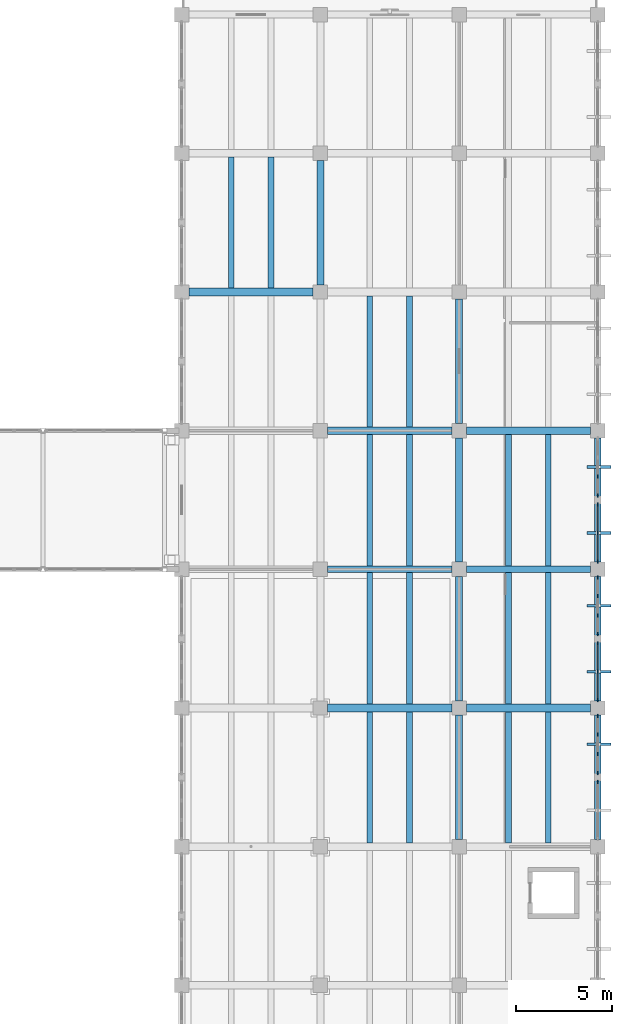
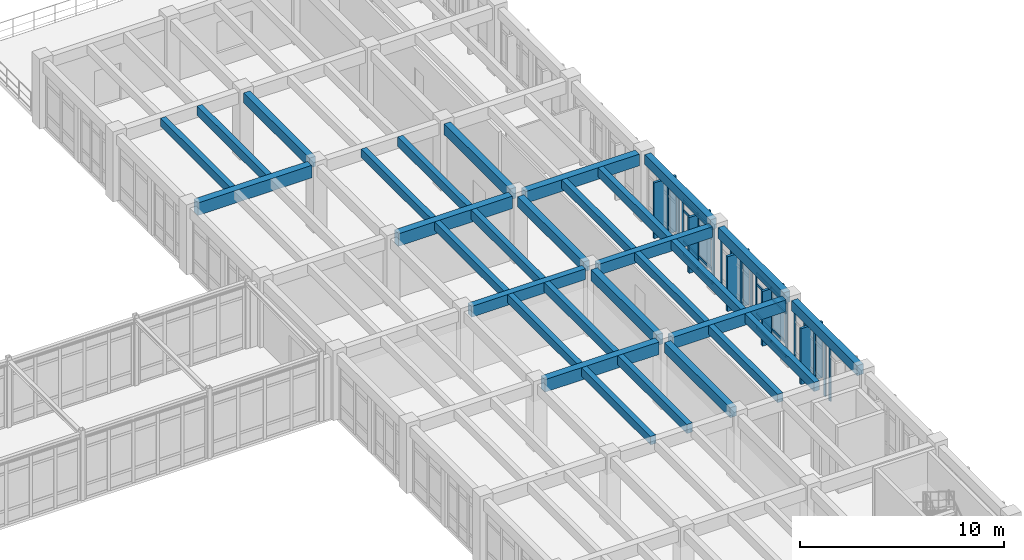
# One storey, part 62 of 136: 38 members, 31 beams, 6 elements without a shape of their own.
"""IFC4 building model written with IfcOpenShell, lengths in metres."""

from ifc_helpers import new_model, si_unit, direction, frame, origin, origin_2d, place, context, subcontext, project, spatial, rectangle, extrude, material, layer, layer_set, material_profile, profile_set, type_object, element, aggregate, save


model = new_model("IFC4")

# Units and contexts
model_context = context("Model", 3, precision=1e-05, world=origin(), true_north=direction((0.0, 1.0)))
body_context = subcontext(model_context, "Body", "Model", "MODEL_VIEW")
ifc_project = project(units=[si_unit("LENGTHUNIT", "METRE"), si_unit("AREAUNIT", "SQUARE_METRE"), si_unit("VOLUMEUNIT", "CUBIC_METRE"), si_unit("PLANEANGLEUNIT", "RADIAN"), si_unit("MASSUNIT", "GRAM", prefix="KILO")], contexts=[model_context])

# Site, building, storey
site_placement = place(None, origin())
site = spatial("IfcSite", under=ifc_project, at=site_placement, CompositionType="ELEMENT")
building_placement = place(site_placement, origin())
building = spatial("IfcBuilding", under=site, at=building_placement, Name="Koriwan Promenade Central Fire Station", CompositionType="ELEMENT")
storey_placement = place(building_placement, frame((0.0, 0.0, 5.39990234375)))
storey = spatial("IfcBuildingStorey", under=building, at=storey_placement, Name="L01", CompositionType="ELEMENT", Elevation=5.39990234375)

# Beams
ifc_material_1 = material(Name="Concrete C35/45", Category="concrete")
ifc_material_profile_1 = material_profile(ifc_material_1, rectangle(XDim=0.300048828125, YDim=0.5, at=origin_2d()), Name="RC-BM-300x500")
ifc_profile_set_1 = profile_set([ifc_material_profile_1], Name="Concrete C35/45")
beam_type_1 = type_object("IfcBeamType", Name="Beam_RC-BM-300x500", PredefinedType="JOIST", material=ifc_profile_set_1)
for number, where, z_axis, x_axis, name in (
    (1, (160.968017578125, 29.0, 3.7001953125), (0.0, 1.0, 0.0), (-1.0, 0.0, 0.0), "V5 L01 secondary joist 721"),
    (2, (168.16796875, 29.0, 3.7001953125), (0.0, 1.0, 0.0), (-1.0, 0.0, 0.0), "V5 L01 secondary joist 723"),
):
    element("IfcBeam", number, at=place(storey_placement, frame(where, z_axis=z_axis, x_axis=x_axis)), inside=storey, type_object=beam_type_1, Name=name, PredefinedType="JOIST", context=body_context, shape_type="SweptSolid", body=[
        extrude(rectangle(XDim=0.300048828125, YDim=0.5, at=origin_2d()), origin(), (0.0, 0.0, 1.0), 6.800048828125),
    ])
for number, where, z_axis, x_axis, name in (
    (3, (160.968017578125, 36.199951171875, 3.7001953125), (0.0, 1.0, 0.0), (-1.0, 0.0, 0.0), "V5 L01 secondary joist 727"),
    (4, (168.16796875, 36.199951171875, 3.7001953125), (0.0, 1.0, 0.0), (-1.0, 0.0, 0.0), "V5 L01 secondary joist 729"),
    (5, (160.968017578125, 43.375, 3.7001953125), (0.0, 1.0, 0.0), (-1.0, 0.0, 0.0), "V5 L01 secondary joist 733"),
    (6, (168.16796875, 43.375, 3.7001953125), (0.0, 1.0, 0.0), (-1.0, 0.0, 0.0), "V5 L01 secondary joist 735"),
):
    element("IfcBeam", number, at=place(storey_placement, frame(where, z_axis=z_axis, x_axis=x_axis)), inside=storey, type_object=beam_type_1, Name=name, PredefinedType="JOIST", context=body_context, shape_type="SweptSolid", body=[
        extrude(rectangle(XDim=0.300048828125, YDim=0.5, at=origin_2d()), origin(), (0.0, 0.0, 1.0), 6.824951171875),
    ])
beam_1_placement = place(storey_placement, frame((160.968017578125, 50.60009765625, 3.7001953125), z_axis=(0.0, 1.0, 0.0), x_axis=(-1.0, 0.0, 0.0)))
element("IfcBeam", 7, at=beam_1_placement, inside=storey, type_object=beam_type_1, Name="V5 L01 secondary joist 739", PredefinedType="JOIST", context=body_context, shape_type="SweptSolid", body=[
    extrude(rectangle(XDim=0.300048828125, YDim=0.5, at=origin_2d()), origin(), (0.0, 0.0, 1.0), 6.7998046875),
])
beam_2_placement = place(storey_placement, frame((153.76806640625, 57.800048828125, 3.7001953125), z_axis=(0.0, 1.0, 0.0), x_axis=(-1.0, 0.0, 0.0)))
element("IfcBeam", 8, at=beam_2_placement, inside=storey, type_object=beam_type_1, Name="V5 L01 secondary joist 743", PredefinedType="JOIST", context=body_context, shape_type="SweptSolid", body=[
    extrude(rectangle(XDim=0.300048828125, YDim=0.5, at=origin_2d()), origin(), (0.0, 0.0, 1.0), 6.800048828125),
])
ifc_material_profile_2 = material_profile(ifc_material_1, rectangle(XDim=0.300048828125, YDim=0.550048828125, at=origin_2d()), Name="RC-BM-300x550")
ifc_profile_set_2 = profile_set([ifc_material_profile_2], Name="Concrete C35/45")
beam_type_2 = type_object("IfcBeamType", Name="Beam_RC-BM-300x550", PredefinedType="JOIST", material=ifc_profile_set_2)
for number, where, z_axis, x_axis, name in (
    (9, (163.031982421875, 29.0, 3.675048828125), (0.0, 1.0, 0.0), (-1.0, 0.0, 0.0), "V5 L01 secondary joist 722"),
    (10, (170.23193359375, 29.0, 3.675048828125), (0.0, 1.0, 0.0), (-1.0, 0.0, 0.0), "V5 L01 secondary joist 724"),
):
    element("IfcBeam", number, at=place(storey_placement, frame(where, z_axis=z_axis, x_axis=x_axis)), inside=storey, type_object=beam_type_2, Name=name, PredefinedType="JOIST", context=body_context, shape_type="SweptSolid", body=[
        extrude(rectangle(XDim=0.300048828125, YDim=0.550048828125, at=origin_2d()), origin(), (0.0, 0.0, 1.0), 6.800048828125),
    ])
for number, where, z_axis, x_axis, name in (
    (11, (163.031982421875, 36.199951171875, 3.675048828125), (0.0, 1.0, 0.0), (-1.0, 0.0, 0.0), "V5 L01 secondary joist 728"),
    (12, (170.23193359375, 36.199951171875, 3.675048828125), (0.0, 1.0, 0.0), (-1.0, 0.0, 0.0), "V5 L01 secondary joist 730"),
    (13, (163.031982421875, 43.375, 3.675048828125), (0.0, 1.0, 0.0), (-1.0, 0.0, 0.0), "V5 L01 secondary joist 734"),
    (14, (170.23193359375, 43.375, 3.675048828125), (0.0, 1.0, 0.0), (-1.0, 0.0, 0.0), "V5 L01 secondary joist 736"),
):
    element("IfcBeam", number, at=place(storey_placement, frame(where, z_axis=z_axis, x_axis=x_axis)), inside=storey, type_object=beam_type_2, Name=name, PredefinedType="JOIST", context=body_context, shape_type="SweptSolid", body=[
        extrude(rectangle(XDim=0.300048828125, YDim=0.550048828125, at=origin_2d()), origin(), (0.0, 0.0, 1.0), 6.824951171875),
    ])
beam_3_placement = place(storey_placement, frame((163.031982421875, 50.60009765625, 3.675048828125), z_axis=(0.0, 1.0, 0.0), x_axis=(-1.0, 0.0, 0.0)))
element("IfcBeam", 15, at=beam_3_placement, inside=storey, type_object=beam_type_2, Name="V5 L01 secondary joist 740", PredefinedType="JOIST", context=body_context, shape_type="SweptSolid", body=[
    extrude(rectangle(XDim=0.300048828125, YDim=0.550048828125, at=origin_2d()), origin(), (0.0, 0.0, 1.0), 6.7998046875),
])
beam_4_placement = place(storey_placement, frame((155.83203125, 57.800048828125, 3.675048828125), z_axis=(0.0, 1.0, 0.0), x_axis=(-1.0, 0.0, 0.0)))
element("IfcBeam", 16, at=beam_4_placement, inside=storey, type_object=beam_type_2, Name="V5 L01 secondary joist 744", PredefinedType="JOIST", context=body_context, shape_type="SweptSolid", body=[
    extrude(rectangle(XDim=0.300048828125, YDim=0.550048828125, at=origin_2d()), origin(), (0.0, 0.0, 1.0), 6.800048828125),
])
ifc_material_profile_3 = material_profile(ifc_material_1, rectangle(XDim=0.35009765625, YDim=0.60009765625, at=origin_2d()), Name="RC-BM-350x600")
ifc_profile_set_3 = profile_set([ifc_material_profile_3], Name="Concrete C35/45")
beam_type_3 = type_object("IfcBeamType", Name="Beam_RC-BM-350x600", PredefinedType="BEAM", material=ifc_profile_set_3)
for number, where, z_axis, x_axis, name in (
    (17, (158.39990234375, 57.97509765625, 3.66015625), (0.0, 1.0, 0.0), (-1.0, 0.0, 0.0), "V5 L01 girder Y-678"),
    (18, (165.60009765625, 29.175048828125, 3.650146484375), (0.0, 1.0, 0.0), (-1.0, 0.0, 0.0), "V5 L01 girder Y-684"),
    (19, (165.60009765625, 43.574951171875, 3.650146484375), (0.0, 1.0, 0.0), (-1.0, 0.0, 0.0), "V5 L01 girder Y-686"),
    (20, (172.800048828125, 29.175048828125, 3.650146484375), (0.0, 1.0, 0.0), (-1.0, 0.0, 0.0), "V5 L01 girder Y-694"),
    (21, (172.800048828125, 43.574951171875, 3.650146484375), (0.0, 1.0, 0.0), (-1.0, 0.0, 0.0), "V5 L01 girder Y-696"),
):
    element("IfcBeam", number, at=place(storey_placement, frame(where, z_axis=z_axis, x_axis=x_axis)), inside=storey, type_object=beam_type_3, Name=name, PredefinedType="BEAM", context=body_context, shape_type="SweptSolid", body=[
        extrude(rectangle(XDim=0.35009765625, YDim=0.60009765625, at=origin_2d()), origin(), (0.0, 0.0, 1.0), 6.449951171875),
    ])
ifc_material_profile_4 = material_profile(ifc_material_1, rectangle(XDim=0.35009765625, YDim=0.64990234375, at=origin_2d()), Name="RC-BM-350x650")
ifc_profile_set_4 = profile_set([ifc_material_profile_4], Name="Concrete C35/45")
beam_type_4 = type_object("IfcBeamType", Name="Beam_RC-BM-350x650", PredefinedType="BEAM", material=ifc_profile_set_4)
beam_5_placement = place(storey_placement, frame((165.60009765625, 36.375, 3.625), z_axis=(0.0, 1.0, 0.0), x_axis=(-1.0, 0.0, 0.0)))
element("IfcBeam", 22, at=beam_5_placement, inside=storey, type_object=beam_type_4, Name="V5 L01 girder Y-685", PredefinedType="BEAM", context=body_context, shape_type="SweptSolid", body=[
    extrude(rectangle(XDim=0.35009765625, YDim=0.64990234375, at=origin_2d()), origin(), (0.0, 0.0, 1.0), 6.449951171875),
])
beam_6_placement = place(storey_placement, frame((165.60009765625, 50.77490234375, 3.625), z_axis=(0.0, 1.0, 0.0), x_axis=(-1.0, 0.0, 0.0)))
element("IfcBeam", 23, at=beam_6_placement, inside=storey, type_object=beam_type_4, Name="V5 L01 girder Y-687", PredefinedType="BEAM", context=body_context, shape_type="SweptSolid", body=[
    extrude(rectangle(XDim=0.35009765625, YDim=0.64990234375, at=origin_2d()), origin(), (0.0, 0.0, 1.0), 6.4501953125),
])
beam_7_placement = place(storey_placement, frame((172.800048828125, 36.375, 3.625), z_axis=(0.0, 1.0, 0.0), x_axis=(-1.0, 0.0, 0.0)))
element("IfcBeam", 24, at=beam_7_placement, inside=storey, type_object=beam_type_4, Name="V5 L01 girder Y-695", PredefinedType="BEAM", context=body_context, shape_type="SweptSolid", body=[
    extrude(rectangle(XDim=0.35009765625, YDim=0.64990234375, at=origin_2d()), origin(), (0.0, 0.0, 1.0), 6.449951171875),
])
ifc_material_profile_5 = material_profile(ifc_material_1, rectangle(XDim=0.39990234375, YDim=0.699951171875, at=origin_2d()), Name="RC-BM-400x700")
ifc_profile_set_5 = profile_set([ifc_material_profile_5], Name="Concrete C35/45")
beam_type_5 = type_object("IfcBeamType", Name="Beam_RC-BM-400x700", PredefinedType="BEAM", material=ifc_profile_set_5)
for number, where, z_axis, x_axis, name in (
    (25, (165.97509765625, 36.0, 3.60009765625), (1.0, 0.0, 0.0), (0.0, 1.0, 0.0), "V5 L01 girder X-642"),
    (26, (165.97509765625, 50.39990234375, 3.60009765625), (1.0, 0.0, 0.0), (0.0, 1.0, 0.0), "V5 L01 girder X-648"),
):
    element("IfcBeam", number, at=place(storey_placement, frame(where, z_axis=z_axis, x_axis=x_axis)), inside=storey, type_object=beam_type_5, Name=name, PredefinedType="BEAM", context=body_context, shape_type="SweptSolid", body=[
        extrude(rectangle(XDim=0.39990234375, YDim=0.699951171875, at=origin_2d()), origin(), (0.0, 0.0, 1.0), 6.449951171875),
    ])
ifc_material_profile_6 = material_profile(ifc_material_1, rectangle(XDim=0.39990234375, YDim=0.75, at=origin_2d()), Name="RC-BM-400x750")
ifc_profile_set_6 = profile_set([ifc_material_profile_6], Name="Concrete C35/45")
beam_type_6 = type_object("IfcBeamType", Name="Beam_RC-BM-400x750", PredefinedType="BEAM", material=ifc_profile_set_6)
for number, where, z_axis, x_axis, name in (
    (27, (158.77490234375, 36.0, 3.5751953125), (1.0, 0.0, 0.0), (0.0, 1.0, 0.0), "V5 L01 girder X-641"),
    (28, (158.77490234375, 50.39990234375, 3.5751953125), (1.0, 0.0, 0.0), (0.0, 1.0, 0.0), "V5 L01 girder X-647"),
):
    element("IfcBeam", number, at=place(storey_placement, frame(where, z_axis=z_axis, x_axis=x_axis)), inside=storey, type_object=beam_type_6, Name=name, PredefinedType="BEAM", context=body_context, shape_type="SweptSolid", body=[
        extrude(rectangle(XDim=0.39990234375, YDim=0.75, at=origin_2d()), origin(), (0.0, 0.0, 1.0), 6.4501953125),
    ])
beam_8_placement = place(storey_placement, frame((151.574951171875, 57.60009765625, 3.5751953125), z_axis=(1.0, 0.0, 0.0), x_axis=(0.0, 1.0, 0.0)))
element("IfcBeam", 29, at=beam_8_placement, inside=storey, type_object=beam_type_6, Name="V5 L01 girder X-649", PredefinedType="BEAM", context=body_context, shape_type="SweptSolid", body=[
    extrude(rectangle(XDim=0.39990234375, YDim=0.75, at=origin_2d()), origin(), (0.0, 0.0, 1.0), 6.449951171875),
])
ifc_material_profile_7 = material_profile(ifc_material_1, rectangle(XDim=0.35009765625, YDim=0.64990234375, at=origin_2d()), Name="RC-SP-350x650")
ifc_profile_set_7 = profile_set([ifc_material_profile_7], Name="Concrete C35/45")
beam_type_7 = type_object("IfcBeamType", Name="Beam_RC-SP-350x650", PredefinedType="SPANDREL", material=ifc_profile_set_7)
beam_9_placement = place(storey_placement, frame((158.77490234375, 43.199951171875, 3.625), z_axis=(1.0, 0.0, 0.0), x_axis=(0.0, 1.0, 0.0)))
element("IfcBeam", 30, at=beam_9_placement, inside=storey, type_object=beam_type_7, Name="V5 L01 girder X-644", PredefinedType="SPANDREL", context=body_context, shape_type="SweptSolid", body=[
    extrude(rectangle(XDim=0.35009765625, YDim=0.64990234375, at=origin_2d()), origin(), (0.0, 0.0, 1.0), 6.4501953125),
])
beam_10_placement = place(storey_placement, frame((165.97509765625, 43.199951171875, 3.625), z_axis=(1.0, 0.0, 0.0), x_axis=(0.0, 1.0, 0.0)))
element("IfcBeam", 31, at=beam_10_placement, inside=storey, type_object=beam_type_7, Name="V5 L01 girder X-645", PredefinedType="SPANDREL", context=body_context, shape_type="SweptSolid", body=[
    extrude(rectangle(XDim=0.35009765625, YDim=0.64990234375, at=origin_2d()), origin(), (0.0, 0.0, 1.0), 6.449951171875),
])

# Curtain wall, members
ifc_material_2 = material(Name="Aluminium EN AW-6063-T6 and low-E glazing", Category="aluminium")
ifc_layer_1 = layer(ifc_material_2, 0.159912109375, Name="Aluminium EN AW-6063-T6 and low-E glazing")
ifc_layer_set_1 = layer_set([ifc_layer_1], Name="Aluminium EN AW-6063-T6 and low-E glazing")
curtain_wall_type_1 = type_object("IfcCurtainWallType", Name="CurtainWall_63_302x334", PredefinedType="USERDEFINED", material=ifc_layer_set_1)
curtain_wall_1_placement = place(storey_placement, origin())
curtain_wall_1 = element("IfcCurtainWall", 32, at=curtain_wall_1_placement, inside=storey, type_object=curtain_wall_type_1, Name="V5 L01 unitised curtain wall 195", ObjectType="UNITISED CURTAIN WALL", PredefinedType="USERDEFINED")
ifc_material_3 = material(Name="Aluminium EN AW-6063-T6", Category="aluminium")
ifc_material_profile_8 = material_profile(ifc_material_3, rectangle(XDim=0.074951171875, YDim=0.179931640625, at=origin_2d()), Name="ALU-MUL-75x180")
ifc_profile_set_8 = profile_set([ifc_material_profile_8], Name="Aluminium EN AW-6063-T6")
member_type_1 = type_object("IfcMemberType", Name="CWMullion_ALU-MUL-75x180", PredefinedType="MULLION", material=ifc_profile_set_8)
member_1_placement = place(storey_placement, frame((172.800048828125, 48.00830078125, 0.0), z_axis=(0.0, 0.0, 1.0), x_axis=(1.0, 0.0, 0.0)))
member_1 = element("IfcMember", 33, at=member_1_placement, type_object=member_type_1, Name="CW-63 mullion 3", PredefinedType="MULLION", context=body_context, shape_type="SweptSolid", body=[
    extrude(rectangle(XDim=0.074951171875, YDim=0.179931640625, at=origin_2d()), origin(), (0.0, 0.0, 1.0), 3.340087890625),
])
member_2_placement = place(storey_placement, frame((172.800048828125, 47.03759765625, 0.0), z_axis=(0.0, 0.0, 1.0), x_axis=(1.0, 0.0, 0.0)))
member_2 = element("IfcMember", 34, at=member_2_placement, type_object=member_type_1, Name="CW-63 mullion 4", PredefinedType="MULLION", context=body_context, shape_type="SweptSolid", body=[
    extrude(rectangle(XDim=0.074951171875, YDim=0.179931640625, at=origin_2d()), origin(), (0.0, 0.0, 1.0), 3.340087890625),
])
aggregate(curtain_wall_1, [member_1, member_2])

ifc_layer_2 = layer(ifc_material_2, 0.159912109375, Name="Aluminium EN AW-6063-T6 and low-E glazing")
ifc_layer_set_2 = layer_set([ifc_layer_2], Name="Aluminium EN AW-6063-T6 and low-E glazing")
curtain_wall_type_2 = type_object("IfcCurtainWallType", Name="CurtainWall_68_302x334", PredefinedType="USERDEFINED", material=ifc_layer_set_2)
curtain_wall_2_placement = place(storey_placement, origin())
curtain_wall_2 = element("IfcCurtainWall", 35, at=curtain_wall_2_placement, inside=storey, type_object=curtain_wall_type_2, Name="V5 L01 unitised curtain wall 196", ObjectType="UNITISED CURTAIN WALL", PredefinedType="USERDEFINED")
member_3_placement = place(storey_placement, frame((172.800048828125, 46.5625, 0.0), z_axis=(0.0, 0.0, 1.0), x_axis=(1.0, 0.0, 0.0)))
member_3 = element("IfcMember", 36, at=member_3_placement, type_object=member_type_1, Name="CW-68 mullion 1", PredefinedType="MULLION", context=body_context, shape_type="SweptSolid", body=[
    extrude(rectangle(XDim=0.074951171875, YDim=0.179931640625, at=origin_2d()), origin(), (0.0, 0.0, 1.0), 3.340087890625),
])
member_4_placement = place(storey_placement, frame((172.800048828125, 45.08740234375, 0.0), z_axis=(0.0, 0.0, 1.0), x_axis=(1.0, 0.0, 0.0)))
member_4 = element("IfcMember", 37, at=member_4_placement, type_object=member_type_1, Name="CW-68 mullion 2", PredefinedType="MULLION", context=body_context, shape_type="SweptSolid", body=[
    extrude(rectangle(XDim=0.074951171875, YDim=0.179931640625, at=origin_2d()), origin(), (0.0, 0.0, 1.0), 3.340087890625),
])
member_5_placement = place(storey_placement, frame((172.800048828125, 43.612548828125, 0.0), z_axis=(0.0, 0.0, 1.0), x_axis=(1.0, 0.0, 0.0)))
member_5 = element("IfcMember", 38, at=member_5_placement, type_object=member_type_1, Name="CW-68 mullion 3", PredefinedType="MULLION", context=body_context, shape_type="SweptSolid", body=[
    extrude(rectangle(XDim=0.074951171875, YDim=0.179931640625, at=origin_2d()), origin(), (0.0, 0.0, 1.0), 3.340087890625),
])

ifc_layer_3 = layer(ifc_material_2, 0.159912109375, Name="Aluminium EN AW-6063-T6 and low-E glazing")
ifc_layer_set_3 = layer_set([ifc_layer_3], Name="Aluminium EN AW-6063-T6 and low-E glazing")
curtain_wall_type_3 = type_object("IfcCurtainWallType", Name="CurtainWall_61_303x329", PredefinedType="USERDEFINED", material=ifc_layer_set_3)
curtain_wall_3_placement = place(storey_placement, origin())
curtain_wall_3 = element("IfcCurtainWall", 39, at=curtain_wall_3_placement, inside=storey, type_object=curtain_wall_type_3, Name="V5 L01 unitised curtain wall 197", ObjectType="UNITISED CURTAIN WALL", PredefinedType="USERDEFINED")
member_6_placement = place(storey_placement, frame((172.800048828125, 42.78759765625, 0.0), z_axis=(0.0, 0.0, 1.0), x_axis=(1.0, 0.0, 0.0)))
member_6 = element("IfcMember", 40, at=member_6_placement, type_object=member_type_1, Name="CW-61 mullion 1", PredefinedType="MULLION", context=body_context, shape_type="SweptSolid", body=[
    extrude(rectangle(XDim=0.074951171875, YDim=0.179931640625, at=origin_2d()), origin(), (0.0, 0.0, 1.0), 3.2900390625),
])
member_7_placement = place(storey_placement, frame((172.800048828125, 41.816650390625, 0.0), z_axis=(0.0, 0.0, 1.0), x_axis=(1.0, 0.0, 0.0)))
member_7 = element("IfcMember", 41, at=member_7_placement, type_object=member_type_1, Name="CW-61 mullion 2", PredefinedType="MULLION", context=body_context, shape_type="SweptSolid", body=[
    extrude(rectangle(XDim=0.074951171875, YDim=0.179931640625, at=origin_2d()), origin(), (0.0, 0.0, 1.0), 3.2900390625),
])
member_8_placement = place(storey_placement, frame((172.800048828125, 40.808349609375, 0.0), z_axis=(0.0, 0.0, 1.0), x_axis=(1.0, 0.0, 0.0)))
member_8 = element("IfcMember", 42, at=member_8_placement, type_object=member_type_1, Name="CW-61 mullion 3", PredefinedType="MULLION", context=body_context, shape_type="SweptSolid", body=[
    extrude(rectangle(XDim=0.074951171875, YDim=0.179931640625, at=origin_2d()), origin(), (0.0, 0.0, 1.0), 3.2900390625),
])
member_9_placement = place(storey_placement, frame((172.800048828125, 39.83740234375, 0.0), z_axis=(0.0, 0.0, 1.0), x_axis=(1.0, 0.0, 0.0)))
member_9 = element("IfcMember", 43, at=member_9_placement, type_object=member_type_1, Name="CW-61 mullion 4", PredefinedType="MULLION", context=body_context, shape_type="SweptSolid", body=[
    extrude(rectangle(XDim=0.074951171875, YDim=0.179931640625, at=origin_2d()), origin(), (0.0, 0.0, 1.0), 3.2900390625),
])
aggregate(curtain_wall_3, [member_6, member_7, member_8, member_9])

ifc_layer_4 = layer(ifc_material_2, 0.159912109375, Name="Aluminium EN AW-6063-T6 and low-E glazing")
ifc_layer_set_4 = layer_set([ifc_layer_4], Name="Aluminium EN AW-6063-T6 and low-E glazing")
curtain_wall_type_4 = type_object("IfcCurtainWallType", Name="CurtainWall_07_302x329", PredefinedType="USERDEFINED", material=ifc_layer_set_4)
curtain_wall_4_placement = place(storey_placement, origin())
curtain_wall_4 = element("IfcCurtainWall", 44, at=curtain_wall_4_placement, inside=storey, type_object=curtain_wall_type_4, Name="V5 L01 unitised curtain wall 198", ObjectType="UNITISED CURTAIN WALL", PredefinedType="USERDEFINED")
member_10_placement = place(storey_placement, frame((172.800048828125, 39.362548828125, 0.0), z_axis=(0.0, 0.0, 1.0), x_axis=(1.0, 0.0, 0.0)))
member_10 = element("IfcMember", 45, at=member_10_placement, type_object=member_type_1, Name="CW-07 mullion 1", PredefinedType="MULLION", context=body_context, shape_type="SweptSolid", body=[
    extrude(rectangle(XDim=0.074951171875, YDim=0.179931640625, at=origin_2d()), origin(), (0.0, 0.0, 1.0), 3.2900390625),
])
member_11_placement = place(storey_placement, frame((172.800048828125, 37.887451171875, 0.0), z_axis=(0.0, 0.0, 1.0), x_axis=(1.0, 0.0, 0.0)))
member_11 = element("IfcMember", 46, at=member_11_placement, type_object=member_type_1, Name="CW-07 mullion 2", PredefinedType="MULLION", context=body_context, shape_type="SweptSolid", body=[
    extrude(rectangle(XDim=0.074951171875, YDim=0.179931640625, at=origin_2d()), origin(), (0.0, 0.0, 1.0), 3.2900390625),
])
member_12_placement = place(storey_placement, frame((172.800048828125, 36.41259765625, 0.0), z_axis=(0.0, 0.0, 1.0), x_axis=(1.0, 0.0, 0.0)))
member_12 = element("IfcMember", 47, at=member_12_placement, type_object=member_type_1, Name="CW-07 mullion 3", PredefinedType="MULLION", context=body_context, shape_type="SweptSolid", body=[
    extrude(rectangle(XDim=0.074951171875, YDim=0.179931640625, at=origin_2d()), origin(), (0.0, 0.0, 1.0), 3.2900390625),
])

curtain_wall_5_placement = place(storey_placement, origin())
curtain_wall_5 = element("IfcCurtainWall", 48, at=curtain_wall_5_placement, inside=storey, type_object=curtain_wall_type_1, Name="V5 L01 unitised curtain wall 199", ObjectType="UNITISED CURTAIN WALL", PredefinedType="USERDEFINED")
member_13_placement = place(storey_placement, frame((172.800048828125, 35.58740234375, 0.0), z_axis=(0.0, 0.0, 1.0), x_axis=(1.0, 0.0, 0.0)))
member_13 = element("IfcMember", 49, at=member_13_placement, type_object=member_type_1, Name="CW-63 mullion 1", PredefinedType="MULLION", context=body_context, shape_type="SweptSolid", body=[
    extrude(rectangle(XDim=0.074951171875, YDim=0.179931640625, at=origin_2d()), origin(), (0.0, 0.0, 1.0), 3.340087890625),
])
member_14_placement = place(storey_placement, frame((172.800048828125, 34.61669921875, 0.0), z_axis=(0.0, 0.0, 1.0), x_axis=(1.0, 0.0, 0.0)))
member_14 = element("IfcMember", 50, at=member_14_placement, type_object=member_type_1, Name="CW-63 mullion 2", PredefinedType="MULLION", context=body_context, shape_type="SweptSolid", body=[
    extrude(rectangle(XDim=0.074951171875, YDim=0.179931640625, at=origin_2d()), origin(), (0.0, 0.0, 1.0), 3.340087890625),
])
member_15_placement = place(storey_placement, frame((172.800048828125, 33.6083984375, 0.0), z_axis=(0.0, 0.0, 1.0), x_axis=(1.0, 0.0, 0.0)))
member_15 = element("IfcMember", 51, at=member_15_placement, type_object=member_type_1, Name="CW-63 mullion 3", PredefinedType="MULLION", context=body_context, shape_type="SweptSolid", body=[
    extrude(rectangle(XDim=0.074951171875, YDim=0.179931640625, at=origin_2d()), origin(), (0.0, 0.0, 1.0), 3.340087890625),
])
member_16_placement = place(storey_placement, frame((172.800048828125, 32.637451171875, 0.0), z_axis=(0.0, 0.0, 1.0), x_axis=(1.0, 0.0, 0.0)))
member_16 = element("IfcMember", 52, at=member_16_placement, type_object=member_type_1, Name="CW-63 mullion 4", PredefinedType="MULLION", context=body_context, shape_type="SweptSolid", body=[
    extrude(rectangle(XDim=0.074951171875, YDim=0.179931640625, at=origin_2d()), origin(), (0.0, 0.0, 1.0), 3.340087890625),
])
aggregate(curtain_wall_5, [member_13, member_14, member_15, member_16])

# Curtain wall, member
ifc_layer_5 = layer(ifc_material_2, 0.159912109375, Name="Aluminium EN AW-6063-T6 and low-E glazing")
ifc_layer_set_5 = layer_set([ifc_layer_5], Name="Aluminium EN AW-6063-T6 and low-E glazing")
curtain_wall_type_5 = type_object("IfcCurtainWallType", Name="CurtainWall_64_303x334", PredefinedType="USERDEFINED", material=ifc_layer_set_5)
curtain_wall_6_placement = place(storey_placement, origin())
curtain_wall_6 = element("IfcCurtainWall", 53, at=curtain_wall_6_placement, inside=storey, type_object=curtain_wall_type_5, Name="V5 L01 unitised curtain wall 200", ObjectType="UNITISED CURTAIN WALL", PredefinedType="USERDEFINED")
member_17_placement = place(storey_placement, frame((172.800048828125, 32.16259765625, 0.0), z_axis=(0.0, 0.0, 1.0), x_axis=(1.0, 0.0, 0.0)))
member_17 = element("IfcMember", 54, at=member_17_placement, type_object=member_type_1, Name="CW-64 mullion 1", PredefinedType="MULLION", context=body_context, shape_type="SweptSolid", body=[
    extrude(rectangle(XDim=0.074951171875, YDim=0.179931640625, at=origin_2d()), origin(), (0.0, 0.0, 1.0), 3.340087890625),
])
aggregate(curtain_wall_6, [member_17])

# Member
ifc_material_profile_9 = material_profile(ifc_material_3, rectangle(XDim=0.074951171875, YDim=0.139892578125, at=origin_2d()), Name="ALU-TRN-75x140")
ifc_profile_set_9 = profile_set([ifc_material_profile_9], Name="Aluminium EN AW-6063-T6")
member_type_2 = type_object("IfcMemberType", Name="CWTransom_ALU-TRN-75x140", PredefinedType="USERDEFINED", material=ifc_profile_set_9)
member_18_placement = place(storey_placement, frame((172.800048828125, 46.52490234375, 0.03759765625), z_axis=(0.0, -1.0, 0.0), x_axis=(1.0, 0.0, 0.0)))
member_18 = element("IfcMember", 55, at=member_18_placement, type_object=member_type_2, Name="CW-68 transom 1.1", ObjectType="TRANSOM", PredefinedType="USERDEFINED", context=body_context, shape_type="SweptSolid", body=[
    extrude(rectangle(XDim=0.074951171875, YDim=0.139892578125, at=origin_2d()), origin(), (0.0, 0.0, 1.0), 1.39990234375),
])

member_19_placement = place(storey_placement, frame((172.800048828125, 46.52490234375, 0.85009765625), z_axis=(0.0, -1.0, 0.0), x_axis=(1.0, 0.0, 0.0)))
member_19 = element("IfcMember", 56, at=member_19_placement, type_object=member_type_2, Name="CW-68 transom 1.2", ObjectType="TRANSOM", PredefinedType="USERDEFINED", context=body_context, shape_type="SweptSolid", body=[
    extrude(rectangle(XDim=0.074951171875, YDim=0.139892578125, at=origin_2d()), origin(), (0.0, 0.0, 1.0), 1.39990234375),
])

member_20_placement = place(storey_placement, frame((172.800048828125, 46.52490234375, 2.690185546875), z_axis=(0.0, -1.0, 0.0), x_axis=(1.0, 0.0, 0.0)))
member_20 = element("IfcMember", 57, at=member_20_placement, type_object=member_type_2, Name="CW-68 transom 1.3", ObjectType="TRANSOM", PredefinedType="USERDEFINED", context=body_context, shape_type="SweptSolid", body=[
    extrude(rectangle(XDim=0.074951171875, YDim=0.139892578125, at=origin_2d()), origin(), (0.0, 0.0, 1.0), 1.39990234375),
])

member_21_placement = place(storey_placement, frame((172.800048828125, 46.52490234375, 3.302490234375), z_axis=(0.0, -1.0, 0.0), x_axis=(1.0, 0.0, 0.0)))
member_21 = element("IfcMember", 58, at=member_21_placement, type_object=member_type_2, Name="CW-68 transom 1.4", ObjectType="TRANSOM", PredefinedType="USERDEFINED", context=body_context, shape_type="SweptSolid", body=[
    extrude(rectangle(XDim=0.074951171875, YDim=0.139892578125, at=origin_2d()), origin(), (0.0, 0.0, 1.0), 1.39990234375),
])

member_22_placement = place(storey_placement, frame((172.800048828125, 45.050048828125, 0.03759765625), z_axis=(0.0, -1.0, 0.0), x_axis=(1.0, 0.0, 0.0)))
member_22 = element("IfcMember", 59, at=member_22_placement, type_object=member_type_2, Name="CW-68 transom 2.1", ObjectType="TRANSOM", PredefinedType="USERDEFINED", context=body_context, shape_type="SweptSolid", body=[
    extrude(rectangle(XDim=0.074951171875, YDim=0.139892578125, at=origin_2d()), origin(), (0.0, 0.0, 1.0), 1.400146484375),
])

member_23_placement = place(storey_placement, frame((172.800048828125, 45.050048828125, 0.85009765625), z_axis=(0.0, -1.0, 0.0), x_axis=(1.0, 0.0, 0.0)))
member_23 = element("IfcMember", 60, at=member_23_placement, type_object=member_type_2, Name="CW-68 transom 2.2", ObjectType="TRANSOM", PredefinedType="USERDEFINED", context=body_context, shape_type="SweptSolid", body=[
    extrude(rectangle(XDim=0.074951171875, YDim=0.139892578125, at=origin_2d()), origin(), (0.0, 0.0, 1.0), 1.400146484375),
])

member_24_placement = place(storey_placement, frame((172.800048828125, 45.050048828125, 2.690185546875), z_axis=(0.0, -1.0, 0.0), x_axis=(1.0, 0.0, 0.0)))
member_24 = element("IfcMember", 61, at=member_24_placement, type_object=member_type_2, Name="CW-68 transom 2.3", ObjectType="TRANSOM", PredefinedType="USERDEFINED", context=body_context, shape_type="SweptSolid", body=[
    extrude(rectangle(XDim=0.074951171875, YDim=0.139892578125, at=origin_2d()), origin(), (0.0, 0.0, 1.0), 1.400146484375),
])

member_25_placement = place(storey_placement, frame((172.800048828125, 45.050048828125, 3.302490234375), z_axis=(0.0, -1.0, 0.0), x_axis=(1.0, 0.0, 0.0)))
member_25 = element("IfcMember", 62, at=member_25_placement, type_object=member_type_2, Name="CW-68 transom 2.4", ObjectType="TRANSOM", PredefinedType="USERDEFINED", context=body_context, shape_type="SweptSolid", body=[
    extrude(rectangle(XDim=0.074951171875, YDim=0.139892578125, at=origin_2d()), origin(), (0.0, 0.0, 1.0), 1.400146484375),
])

aggregate(curtain_wall_2, [member_3, member_4, member_5, member_18, member_19, member_20, member_21, member_22, member_23, member_24, member_25])

member_26_placement = place(storey_placement, frame((172.800048828125, 39.324951171875, 0.03759765625), z_axis=(0.0, -1.0, 0.0), x_axis=(1.0, 0.0, 0.0)))
member_26 = element("IfcMember", 63, at=member_26_placement, type_object=member_type_2, Name="CW-07 transom 1.1", ObjectType="TRANSOM", PredefinedType="USERDEFINED", context=body_context, shape_type="SweptSolid", body=[
    extrude(rectangle(XDim=0.074951171875, YDim=0.139892578125, at=origin_2d()), origin(), (0.0, 0.0, 1.0), 1.39990234375),
])

member_27_placement = place(storey_placement, frame((172.800048828125, 39.324951171875, 0.85009765625), z_axis=(0.0, -1.0, 0.0), x_axis=(1.0, 0.0, 0.0)))
member_27 = element("IfcMember", 64, at=member_27_placement, type_object=member_type_2, Name="CW-07 transom 1.2", ObjectType="TRANSOM", PredefinedType="USERDEFINED", context=body_context, shape_type="SweptSolid", body=[
    extrude(rectangle(XDim=0.074951171875, YDim=0.139892578125, at=origin_2d()), origin(), (0.0, 0.0, 1.0), 1.39990234375),
])

member_28_placement = place(storey_placement, frame((172.800048828125, 39.324951171875, 2.64013671875), z_axis=(0.0, -1.0, 0.0), x_axis=(1.0, 0.0, 0.0)))
member_28 = element("IfcMember", 65, at=member_28_placement, type_object=member_type_2, Name="CW-07 transom 1.3", ObjectType="TRANSOM", PredefinedType="USERDEFINED", context=body_context, shape_type="SweptSolid", body=[
    extrude(rectangle(XDim=0.074951171875, YDim=0.139892578125, at=origin_2d()), origin(), (0.0, 0.0, 1.0), 1.39990234375),
])

member_29_placement = place(storey_placement, frame((172.800048828125, 39.324951171875, 3.252685546875), z_axis=(0.0, -1.0, 0.0), x_axis=(1.0, 0.0, 0.0)))
member_29 = element("IfcMember", 66, at=member_29_placement, type_object=member_type_2, Name="CW-07 transom 1.4", ObjectType="TRANSOM", PredefinedType="USERDEFINED", context=body_context, shape_type="SweptSolid", body=[
    extrude(rectangle(XDim=0.074951171875, YDim=0.139892578125, at=origin_2d()), origin(), (0.0, 0.0, 1.0), 1.39990234375),
])

member_30_placement = place(storey_placement, frame((172.800048828125, 37.85009765625, 0.03759765625), z_axis=(0.0, -1.0, 0.0), x_axis=(1.0, 0.0, 0.0)))
member_30 = element("IfcMember", 67, at=member_30_placement, type_object=member_type_2, Name="CW-07 transom 2.1", ObjectType="TRANSOM", PredefinedType="USERDEFINED", context=body_context, shape_type="SweptSolid", body=[
    extrude(rectangle(XDim=0.074951171875, YDim=0.139892578125, at=origin_2d()), origin(), (0.0, 0.0, 1.0), 1.400146484375),
])

member_31_placement = place(storey_placement, frame((172.800048828125, 37.85009765625, 0.85009765625), z_axis=(0.0, -1.0, 0.0), x_axis=(1.0, 0.0, 0.0)))
member_31 = element("IfcMember", 68, at=member_31_placement, type_object=member_type_2, Name="CW-07 transom 2.2", ObjectType="TRANSOM", PredefinedType="USERDEFINED", context=body_context, shape_type="SweptSolid", body=[
    extrude(rectangle(XDim=0.074951171875, YDim=0.139892578125, at=origin_2d()), origin(), (0.0, 0.0, 1.0), 1.400146484375),
])

member_32_placement = place(storey_placement, frame((172.800048828125, 37.85009765625, 2.64013671875), z_axis=(0.0, -1.0, 0.0), x_axis=(1.0, 0.0, 0.0)))
member_32 = element("IfcMember", 69, at=member_32_placement, type_object=member_type_2, Name="CW-07 transom 2.3", ObjectType="TRANSOM", PredefinedType="USERDEFINED", context=body_context, shape_type="SweptSolid", body=[
    extrude(rectangle(XDim=0.074951171875, YDim=0.139892578125, at=origin_2d()), origin(), (0.0, 0.0, 1.0), 1.400146484375),
])

member_33_placement = place(storey_placement, frame((172.800048828125, 37.85009765625, 3.252685546875), z_axis=(0.0, -1.0, 0.0), x_axis=(1.0, 0.0, 0.0)))
member_33 = element("IfcMember", 70, at=member_33_placement, type_object=member_type_2, Name="CW-07 transom 2.4", ObjectType="TRANSOM", PredefinedType="USERDEFINED", context=body_context, shape_type="SweptSolid", body=[
    extrude(rectangle(XDim=0.074951171875, YDim=0.139892578125, at=origin_2d()), origin(), (0.0, 0.0, 1.0), 1.400146484375),
])

aggregate(curtain_wall_4, [member_10, member_11, member_12, member_26, member_27, member_28, member_29, member_30, member_31, member_32, member_33])

# Members
ifc_material_4 = material(Name="Aluminium EN AW-6063-T6 terracotta finish", Category="masonry")
ifc_material_profile_10 = material_profile(ifc_material_4, rectangle(XDim=0.139892578125, YDim=1.25, at=origin_2d()), Name="FIN-TRC-140x1250")
ifc_profile_set_10 = profile_set([ifc_material_profile_10], Name="Aluminium EN AW-6063-T6 terracotta finish")
member_type_3 = type_object("IfcMemberType", Name="SolarFin_FIN-TRC-140x1250", PredefinedType="USERDEFINED", material=ifc_profile_set_10)
for number, where, z_axis, x_axis, name in (
    (71, (172.875, 48.512451171875, 0.0), (0.0, 0.0, 1.0), (0.0, -1.0, 0.0), "V5 L01 terracotta solar fin 045"),
    (72, (172.875, 45.08740234375, 0.0), (0.0, 0.0, 1.0), (0.0, -1.0, 0.0), "V5 L01 terracotta solar fin 046"),
):
    element("IfcMember", number, at=place(storey_placement, frame(where, z_axis=z_axis, x_axis=x_axis)), inside=storey, type_object=member_type_3, Name=name, ObjectType="SOLAR FIN", PredefinedType="USERDEFINED", context=body_context, shape_type="SweptSolid", body=[
        extrude(rectangle(XDim=0.139892578125, YDim=1.25, at=origin_2d()), origin(), (0.0, 0.0, 1.0), 3.340087890625),
    ])
for number, where, z_axis, x_axis, name in (
    (73, (172.875, 41.3125, 0.0), (0.0, 0.0, 1.0), (0.0, -1.0, 0.0), "V5 L01 terracotta solar fin 047"),
    (74, (172.875, 37.887451171875, 0.0), (0.0, 0.0, 1.0), (0.0, -1.0, 0.0), "V5 L01 terracotta solar fin 048"),
):
    element("IfcMember", number, at=place(storey_placement, frame(where, z_axis=z_axis, x_axis=x_axis)), inside=storey, type_object=member_type_3, Name=name, ObjectType="SOLAR FIN", PredefinedType="USERDEFINED", context=body_context, shape_type="SweptSolid", body=[
        extrude(rectangle(XDim=0.139892578125, YDim=1.25, at=origin_2d()), origin(), (0.0, 0.0, 1.0), 3.2900390625),
    ])
member_34_placement = place(storey_placement, frame((172.875, 34.112548828125, 0.0), z_axis=(0.0, 0.0, 1.0), x_axis=(0.0, -1.0, 0.0)))
element("IfcMember", 75, at=member_34_placement, inside=storey, type_object=member_type_3, Name="V5 L01 terracotta solar fin 049", ObjectType="SOLAR FIN", PredefinedType="USERDEFINED", context=body_context, shape_type="SweptSolid", body=[
    extrude(rectangle(XDim=0.139892578125, YDim=1.25, at=origin_2d()), origin(), (0.0, 0.0, 1.0), 3.340087890625),
])

save(model, "model.ifc")
